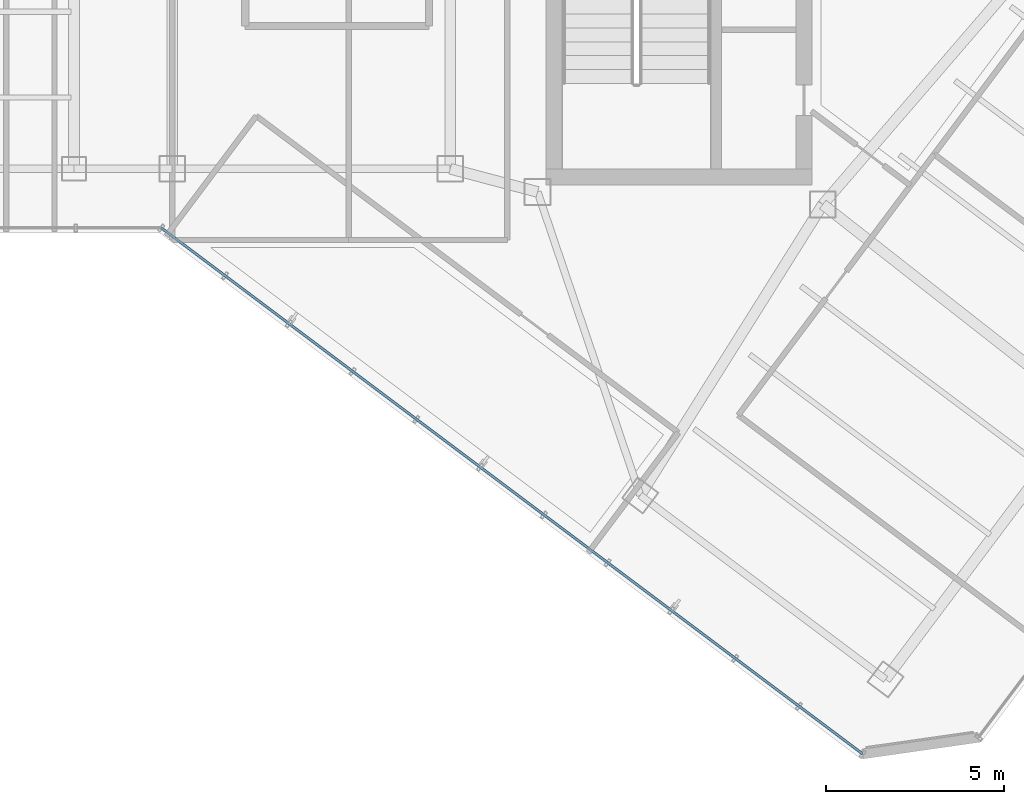
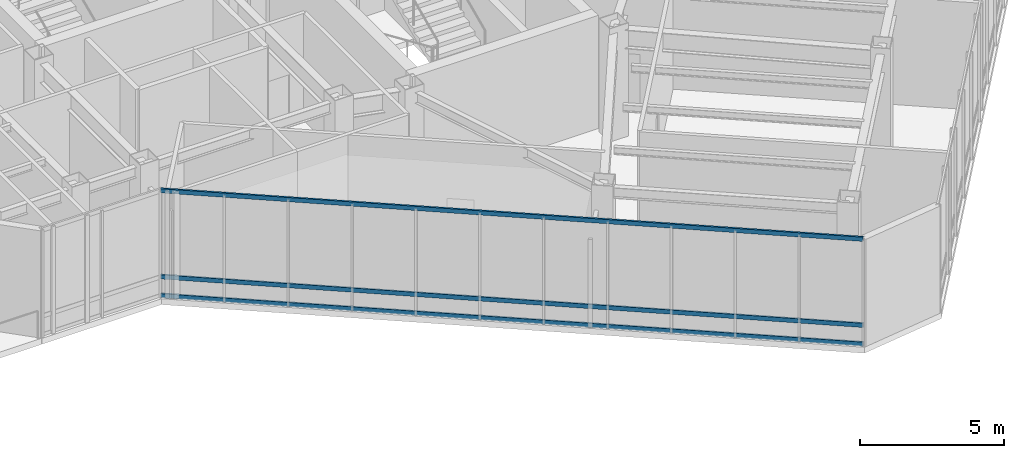
# One storey, part 4 of 21: 3 members, 1 element without a shape of its own.
"""IFC4 building model written with IfcOpenShell, lengths in metres."""

from ifc_helpers import new_model, si_unit, direction, frame, origin, origin_2d, place, context, subcontext, project, spatial, hollow_rectangle, extrude, material, layer, layer_set, material_profile, profile_set, type_object, element, aggregate, save


model = new_model("IFC4")

# Units and contexts
model_context = context("Model", 3, precision=1e-05, world=origin(), true_north=direction((0.0, 1.0)))
body_context = subcontext(model_context, "Body", "Model", "MODEL_VIEW")
ifc_project = project(units=[si_unit("LENGTHUNIT", "METRE"), si_unit("AREAUNIT", "SQUARE_METRE"), si_unit("VOLUMEUNIT", "CUBIC_METRE"), si_unit("PLANEANGLEUNIT", "RADIAN"), si_unit("MASSUNIT", "GRAM", prefix="KILO")], contexts=[model_context])

# Site, building, storey
site_placement = place(None, origin())
site = spatial("IfcSite", under=ifc_project, at=site_placement, CompositionType="ELEMENT")
building_placement = place(site_placement, origin())
building = spatial("IfcBuilding", under=site, at=building_placement, Name="Hatsunagi Terrace Concourse", CompositionType="ELEMENT")
storey_placement = place(building_placement, frame((0.0, 0.0, 186.75)))
storey = spatial("IfcBuildingStorey", under=building, at=storey_placement, Name="L49", CompositionType="ELEMENT", Elevation=186.75)

# Curtain wall, members
ifc_material_1 = material(Name="Anodised Aluminium Alloy 6063-T5", Category="aluminium")
ifc_layer = layer(ifc_material_1, 0.199951171875)
ifc_layer_set = layer_set([ifc_layer], Name="SkyLobbyAtrium_CW05")
curtain_wall_type = type_object("IfcCurtainWallType", Name="SkyLobbyAtrium_CW05", PredefinedType="NOTDEFINED", material=ifc_layer_set)
curtain_wall_placement = place(storey_placement, origin())
curtain_wall = element("IfcCurtainWall", 1, at=curtain_wall_placement, inside=storey, type_object=curtain_wall_type, Name="Unitised Curtain Wall CW-05 CW-L49-05", PredefinedType="NOTDEFINED")
ifc_material_2 = material(Name="Anodised Aluminium Alloy 6063-T5", Category="aluminium")
ifc_material_profile = material_profile(ifc_material_2, hollow_rectangle(XDim=0.070068359375, YDim=0.179931640625, WallThickness=0.00390625, at=origin_2d()), Name="ALU-TRN-180x70x4")
ifc_profile_set = profile_set([ifc_material_profile], Name="Anodised Aluminium Alloy 6063-T5")
member_type = type_object("IfcMemberType", Name="CurtainWallTransom_Heavy_180x70", PredefinedType="USERDEFINED", material=ifc_profile_set)
member_1_placement = place(storey_placement, frame((44.91796875, 8.787109375, 0.050048828125), z_axis=(-0.800004765927, 0.599993645378, 0.0), x_axis=(-0.599993645378, -0.800004765927, 0.0)))
member_1 = element("IfcMember", 2, at=member_1_placement, type_object=member_type, Name="Curtain Wall Transom TRN-01", ObjectType="TRANSOM", PredefinedType="USERDEFINED", context=body_context, shape_type="SweptSolid", body=[
    extrude(hollow_rectangle(XDim=0.070068359375, YDim=0.179931640625, WallThickness=0.00390625, at=origin_2d()), origin(), (0.0, 0.0, 1.0), 24.58837890625),
])
member_2_placement = place(storey_placement, frame((44.91796875, 8.787109375, 0.85009765625), z_axis=(-0.800004765927, 0.599993645378, 0.0), x_axis=(-0.599993645378, -0.800004765927, 0.0)))
member_2 = element("IfcMember", 3, at=member_2_placement, type_object=member_type, Name="Curtain Wall Transom TRN-01", ObjectType="TRANSOM", PredefinedType="USERDEFINED", context=body_context, shape_type="SweptSolid", body=[
    extrude(hollow_rectangle(XDim=0.070068359375, YDim=0.179931640625, WallThickness=0.00390625, at=origin_2d()), origin(), (0.0, 0.0, 1.0), 24.58837890625),
])
member_3_placement = place(storey_placement, frame((44.91796875, 8.787109375, 4.5), z_axis=(-0.800004765927, 0.599993645378, 0.0), x_axis=(-0.599993645378, -0.800004765927, 0.0)))
member_3 = element("IfcMember", 4, at=member_3_placement, type_object=member_type, Name="Curtain Wall Transom TRN-01", ObjectType="TRANSOM", PredefinedType="USERDEFINED", context=body_context, shape_type="SweptSolid", body=[
    extrude(hollow_rectangle(XDim=0.070068359375, YDim=0.179931640625, WallThickness=0.00390625, at=origin_2d()), origin(), (0.0, 0.0, 1.0), 24.58837890625),
])
aggregate(curtain_wall, [member_1, member_2, member_3])

save(model, "model.ifc")
